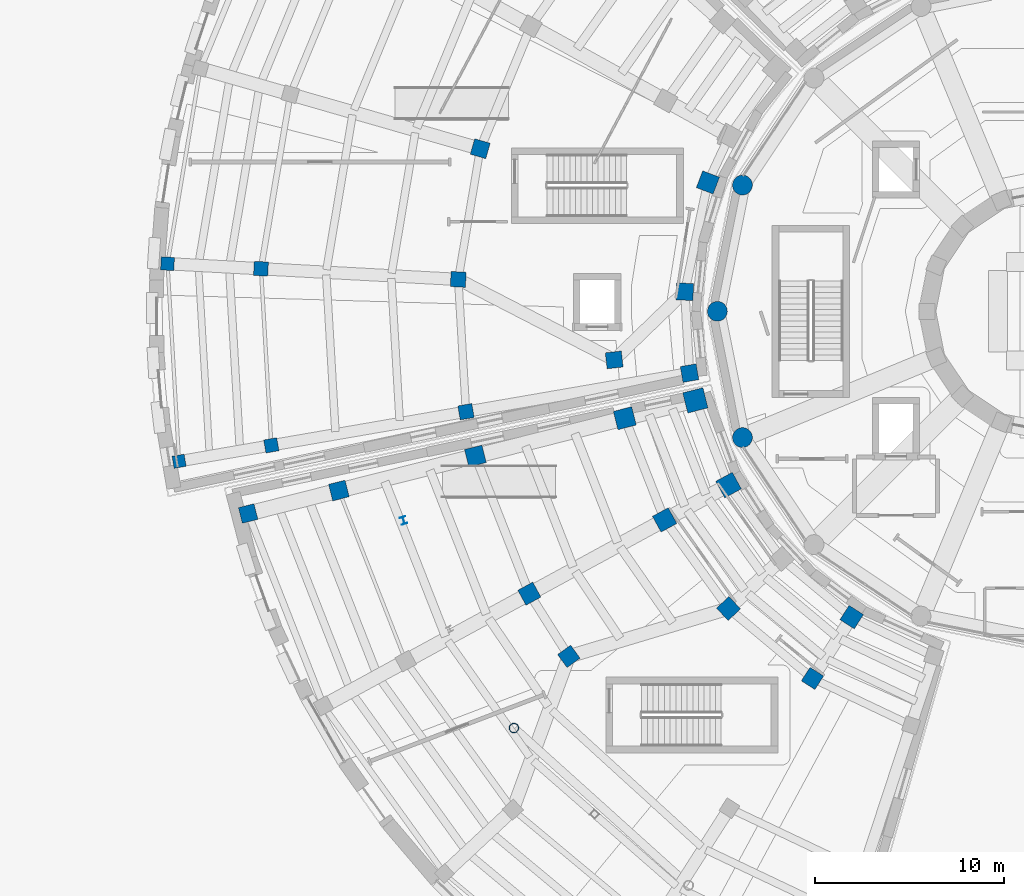
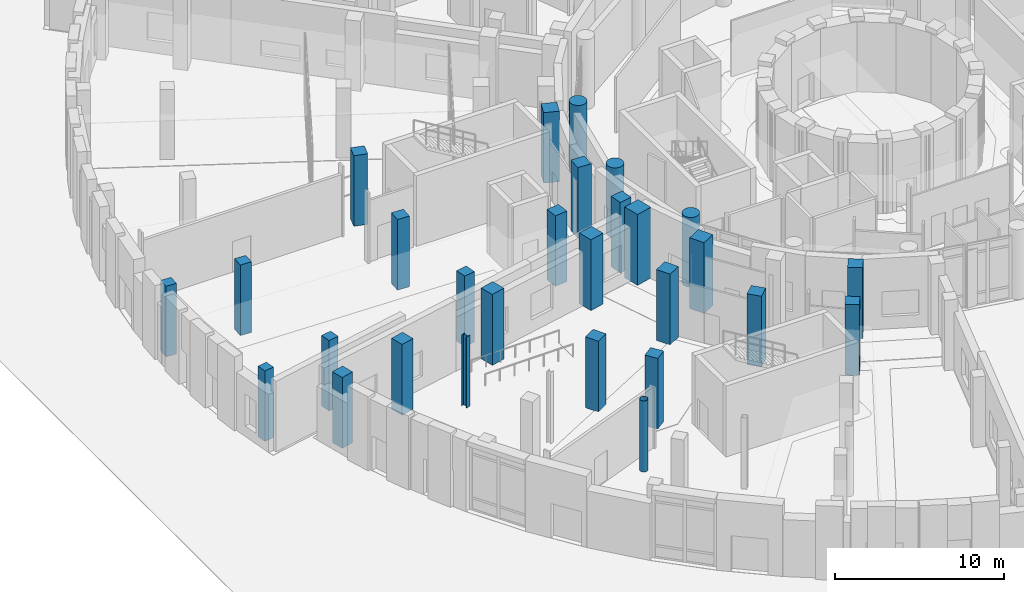
# One storey, part 2 of 74: 28 columns.
"""IFC4 building model written with IfcOpenShell, lengths in metres."""

from ifc_helpers import new_model, si_unit, direction, frame, origin, origin_2d, place, context, subcontext, project, spatial, rectangle, circle, hollow_circle, i_section, extrude, material, material_profile, profile_set, type_object, element, save


model = new_model("IFC4")

# Units and contexts
model_context = context("Model", 3, precision=1e-05, world=origin(), true_north=direction((0.0, 1.0)))
body_context = subcontext(model_context, "Body", "Model", "MODEL_VIEW")
ifc_project = project(units=[si_unit("LENGTHUNIT", "METRE"), si_unit("AREAUNIT", "SQUARE_METRE"), si_unit("VOLUMEUNIT", "CUBIC_METRE"), si_unit("PLANEANGLEUNIT", "RADIAN"), si_unit("MASSUNIT", "GRAM", prefix="KILO")], contexts=[model_context])

# Site, building, storey
site_placement = place(None, origin())
site = spatial("IfcSite", under=ifc_project, at=site_placement, CompositionType="ELEMENT")
building_placement = place(site_placement, origin())
building = spatial("IfcBuilding", under=site, at=building_placement, Name="Soyqirgoq Riverine Aquarium", CompositionType="ELEMENT")
storey_placement = place(building_placement, origin())
storey = spatial("IfcBuildingStorey", under=building, at=storey_placement, Name="L01", CompositionType="ELEMENT", Elevation=0.0)

# Columns
ifc_material_1 = material(Name="Concrete C40/50", Category="concrete")
ifc_material_profile_1 = material_profile(ifc_material_1, circle(Radius=0.52490234375, at=origin_2d()), Name="RC-COL D1050")
ifc_profile_set_1 = profile_set([ifc_material_profile_1], Name="Concrete C40/50")
column_type_1 = type_object("IfcColumnType", Name="Col_Circ_D1050", PredefinedType="COLUMN", material=ifc_profile_set_1)
for number, where, z_axis, x_axis, name in (
    (1, (39.87841796875, 63.677734375, 0.0), (0.0, 0.0, 1.0), (-0.923879532511, 0.382683432365, 0.0), "V1 Column V1-CO08 L01"),
    (2, (38.550048828125, 57.0, 0.0), (0.0, 0.0, 1.0), (-1.0, 0.0, 0.0), "V1 Column V1-CO09 L01"),
    (3, (39.87841796875, 50.322265625, 0.0), (0.0, 0.0, 1.0), (-0.923879532511, -0.382683432365, 0.0), "V1 Column V1-CO10 L01"),
):
    element("IfcColumn", number, at=place(storey_placement, frame(where, z_axis=z_axis, x_axis=x_axis)), inside=storey, type_object=column_type_1, Name=name, PredefinedType="COLUMN", context=body_context, shape_type="SweptSolid", body=[
        extrude(circle(Radius=0.52490234375, at=origin_2d()), origin(), (0.0, 0.0, 1.0), 5.050048828125),
    ])
ifc_material_2 = material(Name="Concrete C40/50", Category="concrete")
ifc_material_profile_2 = material_profile(ifc_material_2, rectangle(XDim=1.0, YDim=1.0, at=origin_2d()), Name="RC 1000x1000")
ifc_profile_set_2 = profile_set([ifc_material_profile_2], Name="Concrete C40/50")
column_type_2 = type_object("IfcColumnType", Name="Col_RC_1000x1000", PredefinedType="COLUMN", material=ifc_profile_set_2)
for number, where, z_axis, x_axis, name in (
    (4, (33.654296875, 51.345703125, 0.0), (0.0, 0.0, 1.0), (-0.969445349895, -0.245307385879, 0.0), "V2 Column V2-CR2-01 L01"),
    (5, (39.142578125, 47.80908203125, 0.0), (0.0, 0.0, 1.0), (-0.877982975428, -0.478691857941, 0.0), "V2 Column V2-CR1-02 L01"),
):
    element("IfcColumn", number, at=place(storey_placement, frame(where, z_axis=z_axis, x_axis=x_axis)), inside=storey, type_object=column_type_2, Name=name, PredefinedType="COLUMN", context=body_context, shape_type="SweptSolid", body=[
        extrude(rectangle(XDim=1.0, YDim=1.0, at=origin_2d()), origin(), (0.0, 0.0, 1.0), 5.1201171875),
    ])
ifc_material_3 = material(Name="Waterproof concrete C45/55", Category="concrete")
ifc_material_profile_3 = material_profile(ifc_material_3, rectangle(XDim=1.10009765625, YDim=1.10009765625, at=origin_2d()), Name="RC 1100x1100")
ifc_profile_set_3 = profile_set([ifc_material_profile_3], Name="Waterproof concrete C45/55")
column_type_3 = type_object("IfcColumnType", Name="Col_RC_1100x1100", PredefinedType="COLUMN", material=ifc_profile_set_3)
column_1_placement = place(storey_placement, frame((37.38671875, 52.2900390625, 0.0), z_axis=(0.0, 0.0, 1.0), x_axis=(-0.969445349895, -0.245307385879, 0.0)))
element("IfcColumn", 6, at=column_1_placement, inside=storey, type_object=column_type_3, Name="V2 Column V2-CR1-01 L01", PredefinedType="COLUMN", context=body_context, shape_type="SweptSolid", body=[
    extrude(rectangle(XDim=1.10009765625, YDim=1.10009765625, at=origin_2d()), origin(), (0.0, 0.0, 1.0), 5.1201171875),
])
ifc_material_4 = material(Name="Concrete C40/50", Category="concrete")
ifc_material_profile_4 = material_profile(ifc_material_4, rectangle(XDim=0.64990234375, YDim=0.64990234375, at=origin_2d()), Name="RC 650x650")
ifc_profile_set_4 = profile_set([ifc_material_profile_4], Name="Concrete C40/50")
column_type_4 = type_object("IfcColumnType", Name="Col_RC_650x650", PredefinedType="COLUMN", material=ifc_profile_set_4)
column_2_placement = place(storey_placement, frame((10.080078125, 49.068115234375, 0.0), z_axis=(0.0, 0.0, 1.0), x_axis=(-0.985407898483, -0.170209499166, 0.0)))
element("IfcColumn", 7, at=column_2_placement, inside=storey, type_object=column_type_4, Name="V3 Column V3-CR5-05 L01", PredefinedType="COLUMN", context=body_context, shape_type="SweptSolid", body=[
    extrude(rectangle(XDim=0.64990234375, YDim=0.64990234375, at=origin_2d()), origin(), (0.0, 0.0, 1.0), 5.10009765625),
])
ifc_material_5 = material(Name="Concrete C40/50", Category="concrete")
ifc_material_profile_5 = material_profile(ifc_material_5, rectangle(XDim=0.699951171875, YDim=0.699951171875, at=origin_2d()), Name="RC 700x700")
ifc_profile_set_5 = profile_set([ifc_material_profile_5], Name="Concrete C40/50")
column_type_5 = type_object("IfcColumnType", Name="Col_RC_700x700", PredefinedType="COLUMN", material=ifc_profile_set_5)
for number, where, z_axis, x_axis, name in (
    (8, (9.46826171875, 59.52001953125, 0.0), (0.0, 0.0, 1.0), (-0.998536670326, 0.054078812985, 0.0), "V3 Column V3-CR5-04 L01"),
    (9, (14.957763671875, 49.910888671875, 0.0), (0.0, 0.0, 1.0), (-0.985407898483, -0.170209499166, 0.0), "V3 Column V3-CR4-05 L01"),
):
    element("IfcColumn", number, at=place(storey_placement, frame(where, z_axis=z_axis, x_axis=x_axis)), inside=storey, type_object=column_type_5, Name=name, PredefinedType="COLUMN", context=body_context, shape_type="SweptSolid", body=[
        extrude(rectangle(XDim=0.699951171875, YDim=0.699951171875, at=origin_2d()), origin(), (0.0, 0.0, 1.0), 5.10009765625),
    ])
ifc_material_6 = material(Name="Concrete C40/50", Category="concrete")
ifc_material_profile_6 = material_profile(ifc_material_6, rectangle(XDim=0.75, YDim=0.75, at=origin_2d()), Name="RC 750x750")
ifc_profile_set_6 = profile_set([ifc_material_profile_6], Name="Concrete C40/50")
column_type_6 = type_object("IfcColumnType", Name="Col_RC_750x750", PredefinedType="COLUMN", material=ifc_profile_set_6)
for number, where, z_axis, x_axis, name in (
    (10, (14.410888671875, 59.25244140625, 0.0), (0.0, 0.0, 1.0), (-0.998536670326, 0.054078812985, 0.0), "V3 Column V3-CR4-04 L01"),
    (11, (25.25537109375, 51.689453125, 0.0), (0.0, 0.0, 1.0), (-0.985407898483, -0.170209499166, 0.0), "V3 Column V3-CR3-05 L01"),
):
    element("IfcColumn", number, at=place(storey_placement, frame(where, z_axis=z_axis, x_axis=x_axis)), inside=storey, type_object=column_type_6, Name=name, PredefinedType="COLUMN", context=body_context, shape_type="SweptSolid", body=[
        extrude(rectangle(XDim=0.75, YDim=0.75, at=origin_2d()), origin(), (0.0, 0.0, 1.0), 5.10009765625),
    ])
ifc_material_7 = material(Name="Concrete C40/50", Category="concrete")
ifc_material_profile_7 = material_profile(ifc_material_7, rectangle(XDim=0.800048828125, YDim=0.800048828125, at=origin_2d()), Name="RC 800x800")
ifc_profile_set_7 = profile_set([ifc_material_profile_7], Name="Concrete C40/50")
column_type_7 = type_object("IfcColumnType", Name="Col_RC_800x800", PredefinedType="COLUMN", material=ifc_profile_set_7)
column_3_placement = place(storey_placement, frame((24.845703125, 58.687255859375, 0.0), z_axis=(0.0, 0.0, 1.0), x_axis=(-0.998536670326, 0.054078812985, 0.0)))
element("IfcColumn", 12, at=column_3_placement, inside=storey, type_object=column_type_7, Name="V3 Column V3-CR3-04 L01", PredefinedType="COLUMN", context=body_context, shape_type="SweptSolid", body=[
    extrude(rectangle(XDim=0.800048828125, YDim=0.800048828125, at=origin_2d()), origin(), (0.0, 0.0, 1.0), 5.10009765625),
])
ifc_material_8 = material(Name="Concrete C40/50", Category="concrete")
ifc_material_profile_8 = material_profile(ifc_material_8, rectangle(XDim=0.85009765625, YDim=0.85009765625, at=origin_2d()), Name="RC 850x850")
ifc_profile_set_8 = profile_set([ifc_material_profile_8], Name="Concrete C40/50")
column_type_8 = type_object("IfcColumnType", Name="Col_RC_850x850", PredefinedType="COLUMN", material=ifc_profile_set_8)
for number, where, z_axis, x_axis, name in (
    (13, (13.732177734375, 46.3046875, 0.0), (0.0, 0.0, 1.0), (-0.969445349895, -0.245307385879, 0.0), "V2 Column V2-CR5-01 L01"),
    (14, (30.69482421875, 38.749267578125, 0.0), (0.0, 0.0, 1.0), (-0.811063818989, -0.584957674987, 0.0), "V2 Column V2-CR3-03 L01"),
    (15, (43.581298828125, 37.58154296875, 0.0), (0.0, 0.0, 1.0), (-0.538770785007, -0.842452397007, 0.0), "V2 Column V2-CR2-04 L01"),
):
    element("IfcColumn", number, at=place(storey_placement, frame(where, z_axis=z_axis, x_axis=x_axis)), inside=storey, type_object=column_type_8, Name=name, PredefinedType="COLUMN", context=body_context, shape_type="SweptSolid", body=[
        extrude(rectangle(XDim=0.85009765625, YDim=0.85009765625, at=origin_2d()), origin(), (0.0, 0.0, 1.0), 5.1201171875),
    ])
for number, where, z_axis, x_axis, name in (
    (16, (26.008544921875, 65.599853515625, 0.0), (0.0, 0.0, 1.0), (-0.961261695938, 0.275637355817, 0.0), "V3 Column V3-CR3-03 L01"),
    (17, (33.093505859375, 54.4306640625, 0.0), (0.0, 0.0, 1.0), (-0.993767919161, -0.111468932206, 0.0), "V3 Column V3-CR2-04 L01"),
    (18, (37.080078125, 53.73193359375, 0.0), (0.0, 0.0, 1.0), (-0.985407898483, -0.170209499166, 0.0), "V3 Column V3-CR1-05 L01"),
):
    element("IfcColumn", number, at=place(storey_placement, frame(where, z_axis=z_axis, x_axis=x_axis)), inside=storey, type_object=column_type_8, Name=name, PredefinedType="COLUMN", context=body_context, shape_type="SweptSolid", body=[
        extrude(rectangle(XDim=0.85009765625, YDim=0.85009765625, at=origin_2d()), origin(), (0.0, 0.0, 1.0), 5.10009765625),
    ])
ifc_material_9 = material(Name="Concrete C40/50", Category="concrete")
ifc_material_profile_9 = material_profile(ifc_material_9, rectangle(XDim=0.89990234375, YDim=0.89990234375, at=origin_2d()), Name="RC 900x900")
ifc_profile_set_9 = profile_set([ifc_material_profile_9], Name="Concrete C40/50")
column_type_9 = type_object("IfcColumnType", Name="Col_RC_900x900", PredefinedType="COLUMN", material=ifc_profile_set_9)
for number, where, z_axis, x_axis, name in (
    (19, (18.531005859375, 47.518798828125, 0.0), (0.0, 0.0, 1.0), (-0.969445349895, -0.245307385879, 0.0), "V2 Column V2-CR4-01 L01"),
    (20, (28.60693359375, 42.064697265625, 0.0), (0.0, 0.0, 1.0), (-0.877982975428, -0.478691857941, 0.0), "V2 Column V2-CR3-02 L01"),
    (21, (39.142333984375, 41.27978515625, 0.0), (0.0, 0.0, 1.0), (-0.731353701619, -0.681998360062, 0.0), "V2 Column V2-CR2-03 L01"),
    (22, (45.655517578125, 40.824951171875, 0.0), (0.0, 0.0, 1.0), (-0.538770785007, -0.842452397007, 0.0), "V2 Column V2-CR1-04 L01"),
):
    element("IfcColumn", number, at=place(storey_placement, frame(where, z_axis=z_axis, x_axis=x_axis)), inside=storey, type_object=column_type_9, Name=name, PredefinedType="COLUMN", context=body_context, shape_type="SweptSolid", body=[
        extrude(rectangle(XDim=0.89990234375, YDim=0.89990234375, at=origin_2d()), origin(), (0.0, 0.0, 1.0), 5.1201171875),
    ])
column_4_placement = place(storey_placement, frame((36.828125, 58.038330078125, 0.0), z_axis=(0.0, 0.0, 1.0), x_axis=(-0.998536670326, 0.054078812985, 0.0)))
element("IfcColumn", 23, at=column_4_placement, inside=storey, type_object=column_type_9, Name="V3 Column V3-CR1-04 L01", PredefinedType="COLUMN", context=body_context, shape_type="SweptSolid", body=[
    extrude(rectangle(XDim=0.89990234375, YDim=0.89990234375, at=origin_2d()), origin(), (0.0, 0.0, 1.0), 5.10009765625),
])
ifc_material_10 = material(Name="Concrete C40/50", Category="concrete")
ifc_material_profile_10 = material_profile(ifc_material_10, rectangle(XDim=0.949951171875, YDim=0.949951171875, at=origin_2d()), Name="RC 950x950")
ifc_profile_set_10 = profile_set([ifc_material_profile_10], Name="Concrete C40/50")
column_type_10 = type_object("IfcColumnType", Name="Col_RC_950x950", PredefinedType="COLUMN", material=ifc_profile_set_10)
for number, where, z_axis, x_axis, name in (
    (24, (25.75341796875, 49.346435546875, 0.0), (0.0, 0.0, 1.0), (-0.969445349895, -0.245307385879, 0.0), "V2 Column V2-CR3-01 L01"),
    (25, (35.762451171875, 45.96630859375, 0.0), (0.0, 0.0, 1.0), (-0.877982975428, -0.478691857941, 0.0), "V2 Column V2-CR2-02 L01"),
):
    element("IfcColumn", number, at=place(storey_placement, frame(where, z_axis=z_axis, x_axis=x_axis)), inside=storey, type_object=column_type_10, Name=name, PredefinedType="COLUMN", context=body_context, shape_type="SweptSolid", body=[
        extrude(rectangle(XDim=0.949951171875, YDim=0.949951171875, at=origin_2d()), origin(), (0.0, 0.0, 1.0), 5.1201171875),
    ])
column_5_placement = place(storey_placement, frame((38.05126953125, 63.818115234375, 0.0), z_axis=(0.0, 0.0, 1.0), x_axis=(-0.934825676396, 0.355106962408, 0.0)))
element("IfcColumn", 26, at=column_5_placement, inside=storey, type_object=column_type_10, Name="V3 Column V3-CR1-03 L01", PredefinedType="COLUMN", context=body_context, shape_type="SweptSolid", body=[
    extrude(rectangle(XDim=0.949951171875, YDim=0.949951171875, at=origin_2d()), origin(), (0.0, 0.0, 1.0), 5.10009765625),
])
ifc_material_11 = material(Name="Structural steel S355", Category="steel")
ifc_material_profile_11 = material_profile(ifc_material_11, hollow_circle(Radius=0.25390625, WallThickness=0.02001953125, at=origin_2d()), Name="CHS 508x20")
ifc_profile_set_11 = profile_set([ifc_material_profile_11], Name="Structural steel S355")
column_type_11 = type_object("IfcColumnType", Name="Col_Steel_CHS508", PredefinedType="COLUMN", material=ifc_profile_set_11)
column_6_placement = place(storey_placement, frame((27.789306640625, 34.959228515625, 0.0), z_axis=(0.0, 0.0, 1.0), x_axis=(-0.788010753607, -0.615661475326, 0.0)))
element("IfcColumn", 27, at=column_6_placement, inside=storey, type_object=column_type_11, Name="V2 Column V2-CSW-03 L01", PredefinedType="COLUMN", context=body_context, shape_type="SweptSolid", body=[
    extrude(hollow_circle(Radius=0.25390625, WallThickness=0.02001953125, at=origin_2d()), origin(), (0.0, 0.0, 1.0), 5.139892578125),
])
ifc_material_12 = material(Name="Structural steel S355", Category="steel")
ifc_material_profile_12 = material_profile(ifc_material_12, i_section(OverallWidth=0.300048828125, OverallDepth=0.39990234375, WebThickness=0.013427734375, FlangeThickness=0.02392578125, FilletRadius=0.027099609375, at=origin_2d()), Name="HEB 400")
ifc_profile_set_12 = profile_set([ifc_material_profile_12], Name="Structural steel S355")
column_type_12 = type_object("IfcColumnType", Name="Col_Steel_HEB400", PredefinedType="COLUMN", material=ifc_profile_set_12)
column_7_placement = place(storey_placement, frame((21.9521484375, 45.937255859375, 0.0), z_axis=(0.0, 0.0, 1.0), x_axis=(-0.951056516295, -0.309016994375, 0.0)))
element("IfcColumn", 28, at=column_7_placement, inside=storey, type_object=column_type_12, Name="V2 Column V2-CSW-01 L01", PredefinedType="COLUMN", context=body_context, shape_type="SweptSolid", body=[
    extrude(i_section(OverallWidth=0.300048828125, OverallDepth=0.39990234375, WebThickness=0.013427734375, FlangeThickness=0.02392578125, FilletRadius=0.027099609375, at=origin_2d()), origin(), (0.0, 0.0, 1.0), 5.139892578125),
])

save(model, "model.ifc")
